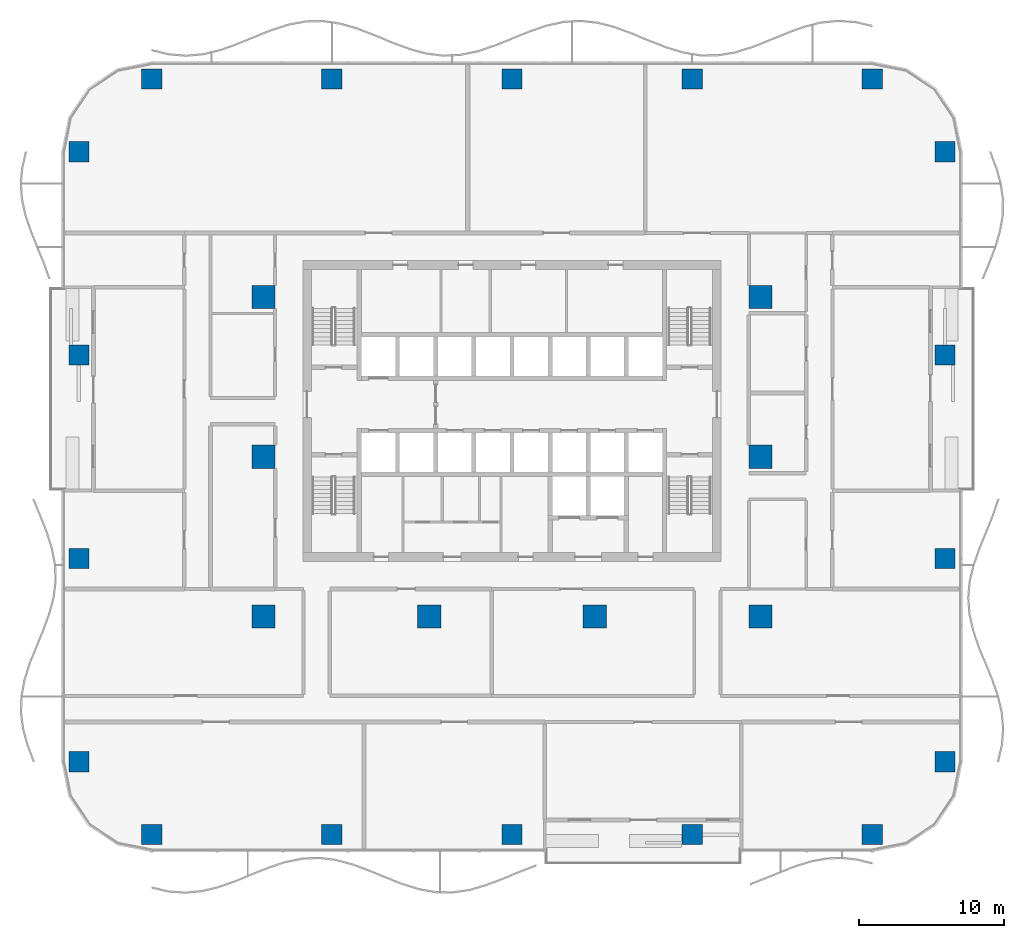
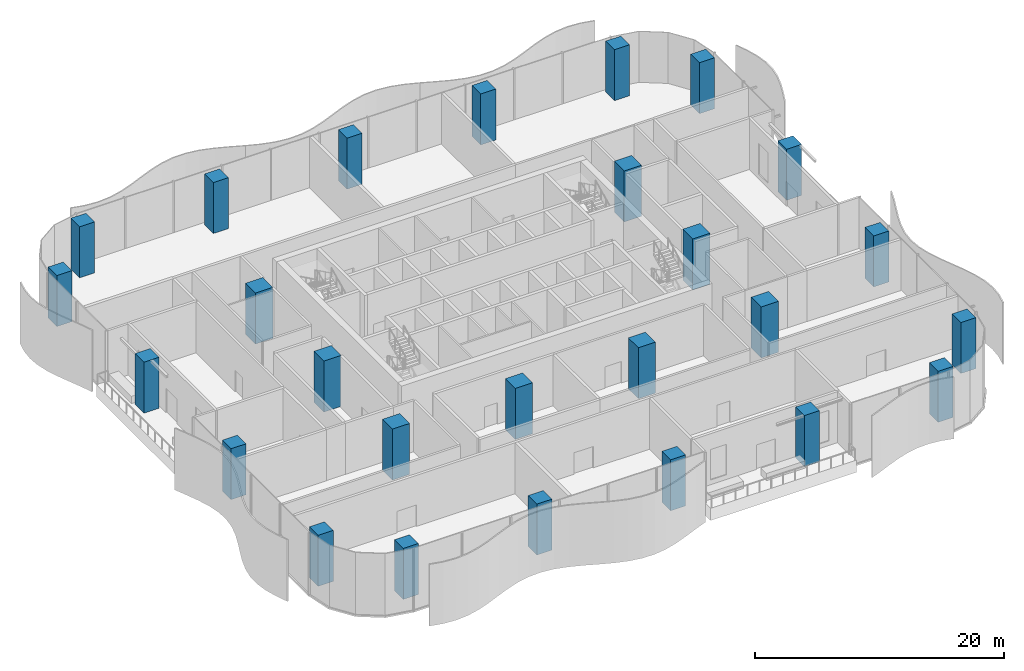
# One storey, part 1 of 21: 26 columns.
"""IFC4 building model written with IfcOpenShell, lengths in metres."""

from ifc_helpers import new_model, si_unit, direction, frame, origin, origin_2d, place, context, subcontext, project, spatial, rectangle, extrude, material, material_profile, profile_set, type_object, element, save


model = new_model("IFC4")

# Units and contexts
model_context = context("Model", 3, precision=1e-05, world=origin(), true_north=direction((0.0, 1.0)))
body_context = subcontext(model_context, "Body", "Model", "MODEL_VIEW")
ifc_project = project(units=[si_unit("LENGTHUNIT", "METRE"), si_unit("AREAUNIT", "SQUARE_METRE"), si_unit("VOLUMEUNIT", "CUBIC_METRE"), si_unit("PLANEANGLEUNIT", "RADIAN"), si_unit("MASSUNIT", "GRAM", prefix="KILO")], contexts=[model_context])

# Site, building, storey
site_placement = place(None, origin())
site = spatial("IfcSite", under=ifc_project, at=site_placement, CompositionType="ELEMENT")
building_placement = place(site_placement, origin())
building = spatial("IfcBuilding", under=site, at=building_placement, Name="Mopane Tessera Tower", CompositionType="ELEMENT")
storey_placement = place(building_placement, frame((0.0, 0.0, 9.0)))
storey = spatial("IfcBuildingStorey", under=building, at=storey_placement, Name="L01", CompositionType="ELEMENT", Elevation=9.0)

# Columns
ifc_material_1 = material(Name="Concrete C60/75", Category="concrete")
ifc_material_profile_1 = material_profile(ifc_material_1, rectangle(XDim=1.60009765625, YDim=1.60009765625, at=origin_2d()))
ifc_profile_set_1 = profile_set([ifc_material_profile_1], Name="Concrete C60/75")
column_type_1 = type_object("IfcColumnType", Name="Interior column 1600 x 1600 C60/75", PredefinedType="COLUMN", material=ifc_profile_set_1)
for number, where, z_axis, x_axis, name in (
    (1, (-17.10009765625, -11.0, 0.0), (0.0, 0.0, 1.0), (1.0, 0.0, 0.0), "Interior column I1A L01"),
    (2, (-17.10009765625, 0.0, 0.0), (0.0, 0.0, 1.0), (1.0, 0.0, 0.0), "Interior column I1B L01"),
    (3, (-17.10009765625, 11.0, 0.0), (0.0, 0.0, 1.0), (1.0, 0.0, 0.0), "Interior column I1C L01"),
    (4, (-5.699951171875, -11.0, 0.0), (0.0, 0.0, 1.0), (1.0, 0.0, 0.0), "Interior column I2A L01"),
    (5, (5.699951171875, -11.0, 0.0), (0.0, 0.0, 1.0), (1.0, 0.0, 0.0), "Interior column I3A L01"),
    (6, (17.10009765625, -11.0, 0.0), (0.0, 0.0, 1.0), (1.0, 0.0, 0.0), "Interior column I4A L01"),
    (7, (17.10009765625, 0.0, 0.0), (0.0, 0.0, 1.0), (1.0, 0.0, 0.0), "Interior column I4B L01"),
    (8, (17.10009765625, 11.0, 0.0), (0.0, 0.0, 1.0), (1.0, 0.0, 0.0), "Interior column I4C L01"),
):
    element("IfcColumn", number, at=place(storey_placement, frame(where, z_axis=z_axis, x_axis=x_axis)), inside=storey, type_object=column_type_1, Name=name, PredefinedType="COLUMN", context=body_context, shape_type="SweptSolid", body=[
        extrude(rectangle(XDim=1.60009765625, YDim=1.60009765625, at=origin_2d()), origin(), (0.0, 0.0, 1.0), 5.0),
    ])
ifc_material_2 = material(Name="Concrete C60/75", Category="concrete")
ifc_material_profile_2 = material_profile(ifc_material_2, rectangle(XDim=1.39990234375, YDim=1.39990234375, at=origin_2d()))
ifc_profile_set_2 = profile_set([ifc_material_profile_2], Name="Concrete C60/75")
column_type_2 = type_object("IfcColumnType", Name="Ring column 1400 x 1400 C60/75", PredefinedType="COLUMN", material=ifc_profile_set_2)
for number, where, z_axis, x_axis, name in (
    (9, (-24.800048828125, -26.0, 0.0), (0.0, 0.0, 1.0), (1.0, 0.0, 0.0), "Ring column S0 L01"),
    (10, (-12.39990234375, -26.0, 0.0), (0.0, 0.0, 1.0), (1.0, 0.0, 0.0), "Ring column S1 L01"),
    (11, (0.0, -26.0, 0.0), (0.0, 0.0, 1.0), (1.0, 0.0, 0.0), "Ring column S2 L01"),
    (12, (12.39990234375, -26.0, 0.0), (0.0, 0.0, 1.0), (1.0, 0.0, 0.0), "Ring column S3 L01"),
    (13, (24.800048828125, -26.0, 0.0), (0.0, 0.0, 1.0), (1.0, 0.0, 0.0), "Ring column S4 L01"),
    (14, (29.800048828125, -21.0, 0.0), (0.0, 0.0, 1.0), (1.0, 0.0, 0.0), "Ring column E0 L01"),
    (15, (29.800048828125, -7.0, 0.0), (0.0, 0.0, 1.0), (1.0, 0.0, 0.0), "Ring column E1 L01"),
    (16, (29.800048828125, 7.0, 0.0), (0.0, 0.0, 1.0), (1.0, 0.0, 0.0), "Ring column E2 L01"),
    (17, (29.800048828125, 21.0, 0.0), (0.0, 0.0, 1.0), (1.0, 0.0, 0.0), "Ring column E3 L01"),
    (18, (24.800048828125, 26.0, 0.0), (0.0, 0.0, 1.0), (1.0, 0.0, 0.0), "Ring column N0 L01"),
    (19, (12.39990234375, 26.0, 0.0), (0.0, 0.0, 1.0), (1.0, 0.0, 0.0), "Ring column N1 L01"),
    (20, (0.0, 26.0, 0.0), (0.0, 0.0, 1.0), (1.0, 0.0, 0.0), "Ring column N2 L01"),
    (21, (-12.39990234375, 26.0, 0.0), (0.0, 0.0, 1.0), (1.0, 0.0, 0.0), "Ring column N3 L01"),
    (22, (-24.800048828125, 26.0, 0.0), (0.0, 0.0, 1.0), (1.0, 0.0, 0.0), "Ring column N4 L01"),
    (23, (-29.800048828125, 21.0, 0.0), (0.0, 0.0, 1.0), (1.0, 0.0, 0.0), "Ring column W0 L01"),
    (24, (-29.800048828125, 7.0, 0.0), (0.0, 0.0, 1.0), (1.0, 0.0, 0.0), "Ring column W1 L01"),
    (25, (-29.800048828125, -7.0, 0.0), (0.0, 0.0, 1.0), (1.0, 0.0, 0.0), "Ring column W2 L01"),
    (26, (-29.800048828125, -21.0, 0.0), (0.0, 0.0, 1.0), (1.0, 0.0, 0.0), "Ring column W3 L01"),
):
    element("IfcColumn", number, at=place(storey_placement, frame(where, z_axis=z_axis, x_axis=x_axis)), inside=storey, type_object=column_type_2, Name=name, PredefinedType="COLUMN", context=body_context, shape_type="SweptSolid", body=[
        extrude(rectangle(XDim=1.39990234375, YDim=1.39990234375, at=origin_2d()), origin(), (0.0, 0.0, 1.0), 5.0),
    ])

save(model, "model.ifc")
